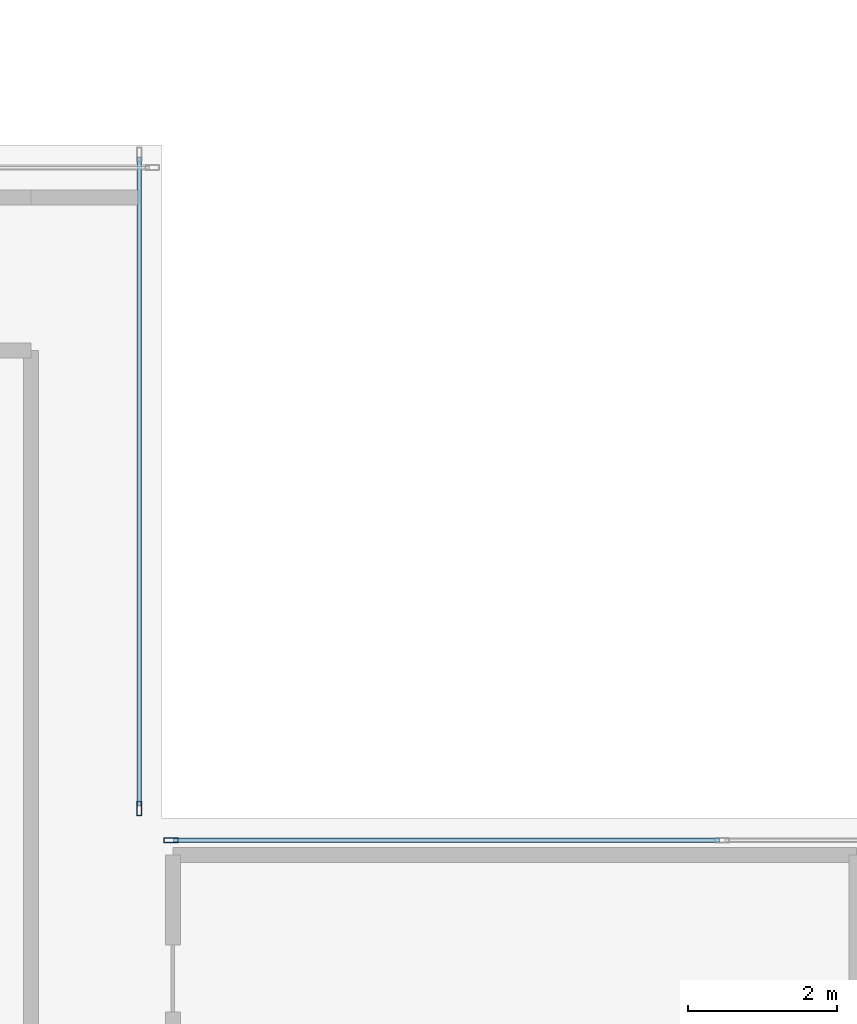
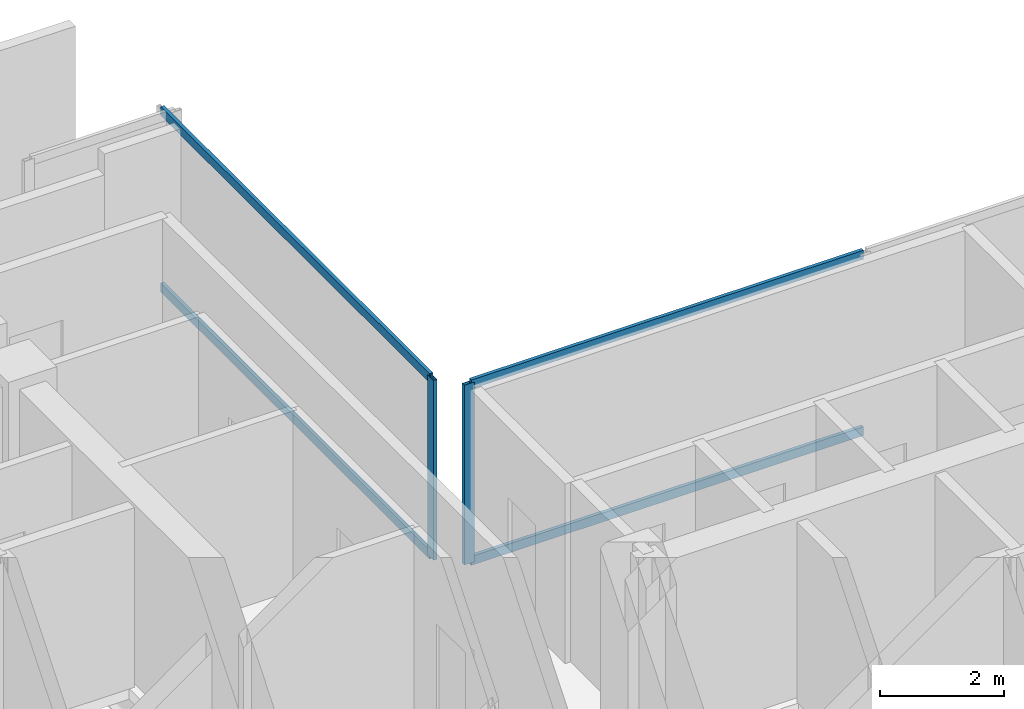
# One storey, part 9 of 22: 6 members, 2 elements without a shape of their own.
"""IFC4 building model written with IfcOpenShell, lengths in metres."""

import ifcopenshell
import ifcopenshell.guid

model = None  # the IFC model being written
_history = None  # IfcOwnerHistory: only IFC2X3 demands one
_inside = {}  # id of a spatial element -> (the spatial element, [elements in it])
_under = {}  # id of a project, library or spatial element -> (it, [spatial elements below it])
_declared = {}  # id of a project -> (the project, [libraries it declares])
_typed = {}  # id of a type object -> (the type object, [elements of that type])
_made_of = {}  # id of a material, layer set ... -> (it, [elements and type objects made of it])


def new_model(schema):
    """Start an empty IFC model of exactly this schema.

    Asked for "IFC4X3", IfcOpenShell would pick the latest addendum, in which some entities
    have other attributes; the version numbers below select the first issue.
    IFC2X3 requires an IfcOwnerHistory on every rooted entity: one is made here for all.
    """
    global model, _history
    if schema == "IFC4X3":
        model = ifcopenshell.file(schema_version=(4, 3, 0, 0))
    else:
        model = ifcopenshell.file(schema=schema)
    _inside.clear()
    _under.clear()
    _declared.clear()
    _typed.clear()
    _made_of.clear()
    _history = None
    if model.schema == "IFC2X3":
        org = make("IfcOrganization", Name="unknown")
        user = make(
            "IfcPersonAndOrganization",
            ThePerson=make("IfcPerson", FamilyName="unknown"),
            TheOrganization=org,
        )
        app = make(
            "IfcApplication",
            ApplicationDeveloper=org,
            Version="unknown",
            ApplicationFullName="unknown",
            ApplicationIdentifier="unknown",
        )
        _history = make(
            "IfcOwnerHistory",
            OwningUser=user,
            OwningApplication=app,
            ChangeAction="ADDED",
            CreationDate=0,
        )
    return model


def make(cls, **values):
    """One entity of the class cls with the attributes given. An attribute that is None is left unset."""
    return model.create_entity(
        cls, **{name: value for name, value in values.items() if value is not None}
    )


def rooted(cls, **values):
    """An entity with a GlobalId (a new one), such as an element, a storey or a relation."""
    return make(cls, GlobalId=ifcopenshell.guid.new(), OwnerHistory=_history, **values)


def si_unit(unit_type, name, prefix=None):
    """IfcSIUnit, for example si_unit("LENGTHUNIT", "METRE", prefix="MILLI")."""
    return make("IfcSIUnit", UnitType=unit_type, Prefix=prefix, Name=name)


def assignment(units):
    """IfcUnitAssignment: the units of a project."""
    return None if units is None else make("IfcUnitAssignment", Units=units)


def point(xyz):
    """IfcCartesianPoint."""
    return None if xyz is None else make("IfcCartesianPoint", Coordinates=xyz)


def direction(xyz):
    """IfcDirection."""
    return None if xyz is None else make("IfcDirection", DirectionRatios=xyz)


def frame(location, z_axis=None, x_axis=None):
    """IfcAxis2Placement3D, a coordinate frame: its origin and axes. An axis left out is left unset."""
    return make(
        "IfcAxis2Placement3D",
        Location=point(location),
        Axis=direction(z_axis),
        RefDirection=direction(x_axis),
    )


def frame_2d(location, x_axis=None):
    """IfcAxis2Placement2D, a coordinate frame in the plane: its origin and x axis."""
    return make(
        "IfcAxis2Placement2D", Location=point(location), RefDirection=direction(x_axis)
    )


def origin():
    """The frame at (0, 0, 0) with its axes left unset."""
    return frame((0.0, 0.0, 0.0))


def origin_2d():
    """The frame at (0, 0) in the plane with its x axis left unset."""
    return frame_2d((0.0, 0.0))


def place(relative_to, where):
    """IfcLocalPlacement: puts the frame where relative to a parent placement (None: the world)."""
    return make(
        "IfcLocalPlacement", PlacementRelTo=relative_to, RelativePlacement=where
    )


def context(
    kind, dimensions, precision=None, world=None, true_north=None, identifier=None
):
    """IfcGeometricRepresentationContext, for example the 3D "Model" context."""
    return make(
        "IfcGeometricRepresentationContext",
        ContextIdentifier=identifier,
        ContextType=kind,
        CoordinateSpaceDimension=dimensions,
        Precision=precision,
        WorldCoordinateSystem=world,
        TrueNorth=true_north,
    )


def subcontext(parent, identifier, kind, view, scale=None):
    """IfcGeometricRepresentationSubContext, for example "Body" below "Model"."""
    return make(
        "IfcGeometricRepresentationSubContext",
        ContextIdentifier=identifier,
        ContextType=kind,
        ParentContext=parent,
        TargetScale=scale,
        TargetView=view,
    )


def project(units=None, contexts=None):
    """IfcProject with its units and contexts."""
    return rooted(
        "IfcProject",
        Name="project",
        RepresentationContexts=contexts,
        UnitsInContext=assignment(units),
    )


def spatial(cls, under=None, at=None, **own):
    """A site, building, storey or space (cls), placed at a placement, below another one or the project."""
    s = rooted(cls, ObjectPlacement=at, **own)
    if under is not None:
        _under.setdefault(under.id(), (under, []))[1].append(s)
    return s


def profile(cls, at=None, kind="AREA", **sizes):
    """A parametric profile (cls). Its sizes go by their IFC names, for example OverallWidth=200.0."""
    return make(cls, ProfileType=kind, Position=at, **sizes)


def hollow_rectangle(**sizes):
    """IfcRectangleHollowProfileDef."""
    return profile("IfcRectangleHollowProfileDef", **sizes)


def extrude(swept, where, along, depth):
    """IfcExtrudedAreaSolid: the profile swept, set in the frame where, extruded along a direction by depth."""
    return make(
        "IfcExtrudedAreaSolid",
        SweptArea=swept,
        Position=where,
        ExtrudedDirection=direction(along),
        Depth=depth,
    )


def shape(context_of_items, identifier, shape_type, items):
    """IfcShapeRepresentation: the items that make up one representation, for example the "Body"."""
    return make(
        "IfcShapeRepresentation",
        ContextOfItems=context_of_items,
        RepresentationIdentifier=identifier,
        RepresentationType=shape_type,
        Items=items,
    )


def material(Name=None, Category=None):
    """IfcMaterial."""
    return make("IfcMaterial", Name=Name, Category=Category)


def layer(
    of_material, thickness, ventilated=None, Name=None, Category=None, Priority=None
):
    """IfcMaterialLayer: one layer of a wall or slab, of a material (None: an air gap)."""
    return make(
        "IfcMaterialLayer",
        Material=of_material,
        LayerThickness=thickness,
        IsVentilated=ventilated,
        Name=Name,
        Category=Category,
        Priority=Priority,
    )


def layer_set(layers, Name=None):
    """IfcMaterialLayerSet."""
    return make("IfcMaterialLayerSet", MaterialLayers=layers, LayerSetName=Name)


def material_profile(
    of_material, cross_section, Name=None, Category=None, Priority=None
):
    """IfcMaterialProfile: a cross section and its material."""
    return make(
        "IfcMaterialProfile",
        Name=Name,
        Material=of_material,
        Profile=cross_section,
        Priority=Priority,
        Category=Category,
    )


def profile_set(profiles, Name=None, composite=None):
    """IfcMaterialProfileSet."""
    return make(
        "IfcMaterialProfileSet",
        Name=Name,
        MaterialProfiles=profiles,
        CompositeProfile=composite,
    )


def made_of(thing, what):
    """Note that an element or type object is made of a material, layer set ...; save() writes the relation."""
    if what is not None:
        _made_of.setdefault(what.id(), (what, []))[1].append(thing)
    return thing


def type_object(cls, material=None, **own):
    """A type object (cls), such as IfcWallType, which elements share."""
    return made_of(rooted(cls, **own), material)


def element(
    cls,
    number,
    at=None,
    inside=None,
    cuts=None,
    type_object=None,
    material=None,
    context=None,
    identifier="Body",
    shape_type=None,
    held_by="IfcProductDefinitionShape",
    body=None,
    shapes=None,
    **own,
):
    """One element of the class cls, such as IfcWall. Its Tag is "e" and its number.

    at: its placement. inside: the storey or other place that contains it. cuts: it is an
    opening in that element (IfcRelVoidsElement). A single representation is given by context,
    identifier, shape_type and body (its items); several are given by shapes. held_by: the class
    of the entity that holds the representations. save() writes the other relations.
    """
    e = rooted(cls, Tag="e%d" % number, ObjectPlacement=at, **own)
    if body is not None:
        shapes = [shape(context, identifier, shape_type, body)]
    if shapes is not None:
        e.Representation = make(held_by, Representations=shapes)
    if inside is not None:
        _inside.setdefault(inside.id(), (inside, []))[1].append(e)
    if cuts is not None:
        rooted(
            "IfcRelVoidsElement", RelatingBuildingElement=cuts, RelatedOpeningElement=e
        )
    if type_object is not None:
        _typed.setdefault(type_object.id(), (type_object, []))[1].append(e)
    return made_of(e, material)


def aggregate(whole, parts):
    """IfcRelAggregates: a whole, such as a stair, and the parts it consists of."""
    return rooted("IfcRelAggregates", RelatingObject=whole, RelatedObjects=parts)


def save(model, path):
    """Write the relations noted so far, then the file.

    IfcRelAggregates (storeys below a building ...), IfcRelContainedInSpatialStructure (elements
    in a storey), IfcRelDefinesByType, IfcRelAssociatesMaterial and IfcRelDeclares: one each for
    every whole, place, type object, material and project.
    """
    for whole, parts in _under.values():
        aggregate(whole, parts)
    for where, things in _inside.values():
        rooted(
            "IfcRelContainedInSpatialStructure",
            RelatedElements=things,
            RelatingStructure=where,
        )
    for kind, things in _typed.values():
        rooted("IfcRelDefinesByType", RelatedObjects=things, RelatingType=kind)
    for what, things in _made_of.values():
        rooted("IfcRelAssociatesMaterial", RelatedObjects=things, RelatingMaterial=what)
    for by, libraries in _declared.values():
        rooted("IfcRelDeclares", RelatingContext=by, RelatedDefinitions=libraries)
    model.write(path)


model = new_model("IFC4")

# Units and contexts
model_context = context("Model", 3, precision=1e-05, world=origin(), true_north=direction((0.0, 1.0)))
body_context = subcontext(model_context, "Body", "Model", "MODEL_VIEW")
ifc_project = project(units=[si_unit("LENGTHUNIT", "METRE"), si_unit("AREAUNIT", "SQUARE_METRE"), si_unit("VOLUMEUNIT", "CUBIC_METRE"), si_unit("PLANEANGLEUNIT", "RADIAN"), si_unit("MASSUNIT", "GRAM", prefix="KILO"), si_unit("THERMODYNAMICTEMPERATUREUNIT", "KELVIN"), si_unit("POWERUNIT", "WATT")], contexts=[model_context])

# Site, building, storey
site_placement = place(None, origin())
site = spatial("IfcSite", under=ifc_project, at=site_placement, CompositionType="ELEMENT")
building_placement = place(site_placement, origin())
building = spatial("IfcBuilding", under=site, at=building_placement, Name="Svarakhadi Broadcast Tower", CompositionType="ELEMENT")
storey_placement = place(building_placement, frame((0.0, 0.0, 172.949951171875)))
storey = spatial("IfcBuildingStorey", under=building, at=storey_placement, Name="L42", CompositionType="ELEMENT", Elevation=172.949951171875)

# Curtain wall, member
ifc_material = material(Name="Anodised Bronze Aluminium AA 6063-T6", Category="aluminium")
ifc_layer = layer(ifc_material, 0.18994140625)
ifc_layer_set = layer_set([ifc_layer], Name="Anodised Bronze Aluminium AA 6063-T6")
curtain_wall_type = type_object("IfcCurtainWallType", Name="CW_Sys_04", PredefinedType="NOTDEFINED", material=ifc_layer_set)
curtain_wall_1_placement = place(storey_placement, origin())
curtain_wall_1 = element("IfcCurtainWall", 1, at=curtain_wall_1_placement, inside=storey, type_object=curtain_wall_type, Name="L42 Unitised Facade Curtain Wall 09", PredefinedType="NOTDEFINED")
ifc_material_profile_1 = material_profile(ifc_material, hollow_rectangle(XDim=0.070068359375, YDim=0.18994140625, WallThickness=0.005615234375, at=origin_2d()), Name="ALU MULLION 190x70x6")
ifc_profile_set_1 = profile_set([ifc_material_profile_1], Name="Anodised Bronze Aluminium AA 6063-T6")
member_type_1 = type_object("IfcMemberType", Name="CW_Sys_04_Mul", PredefinedType="MULLION", material=ifc_profile_set_1)
member_1_placement = place(storey_placement, frame((23.699951171875, 24.125, 0.0), z_axis=(0.0, 0.0, 1.0), x_axis=(1.0, 0.0, 0.0)))
member_1 = element("IfcMember", 2, at=member_1_placement, type_object=member_type_1, Name="CW-04 mullion 2", PredefinedType="MULLION", context=body_context, shape_type="SweptSolid", body=[
    extrude(hollow_rectangle(XDim=0.070068359375, YDim=0.18994140625, WallThickness=0.005615234375, at=origin_2d()), origin(), (0.0, 0.0, 1.0), 3.5400390625),
])

curtain_wall_2_placement = place(storey_placement, origin())
curtain_wall_2 = element("IfcCurtainWall", 3, at=curtain_wall_2_placement, inside=storey, type_object=curtain_wall_type, Name="L42 Unitised Facade Curtain Wall 10", PredefinedType="NOTDEFINED")
member_2_placement = place(storey_placement, frame((24.125, 23.699951171875, 0.0), z_axis=(0.0, 0.0, 1.0), x_axis=(0.0, 1.0, 0.0)))
member_2 = element("IfcMember", 4, at=member_2_placement, type_object=member_type_1, Name="CW-04 mullion 1", PredefinedType="MULLION", context=body_context, shape_type="SweptSolid", body=[
    extrude(hollow_rectangle(XDim=0.070068359375, YDim=0.18994140625, WallThickness=0.005615234375, at=origin_2d()), origin(), (0.0, 0.0, 1.0), 3.5400390625),
])

# Member
ifc_material_profile_2 = material_profile(ifc_material, hollow_rectangle(XDim=0.06494140625, YDim=0.175048828125, WallThickness=0.0048828125, at=origin_2d()), Name="ALU TRANSOM 175x65x5")
ifc_profile_set_2 = profile_set([ifc_material_profile_2], Name="Anodised Bronze Aluminium AA 6063-T6")
member_type_2 = type_object("IfcMemberType", Name="CW_Sys_04_Trn", PredefinedType="USERDEFINED", material=ifc_profile_set_2)
member_3_placement = place(storey_placement, frame((23.699951171875, 32.840087890625, 0.032470703125), z_axis=(0.0, -1.0, 0.0), x_axis=(1.0, 0.0, 0.0)))
member_3 = element("IfcMember", 5, at=member_3_placement, type_object=member_type_2, Name="CW-04 transom 1.1", ObjectType="TRANSOM", PredefinedType="USERDEFINED", context=body_context, shape_type="SweptSolid", body=[
    extrude(hollow_rectangle(XDim=0.06494140625, YDim=0.175048828125, WallThickness=0.0048828125, at=origin_2d()), origin(), (0.0, 0.0, 1.0), 8.68017578125),
])

member_4_placement = place(storey_placement, frame((23.699951171875, 32.840087890625, 3.507568359375), z_axis=(0.0, -1.0, 0.0), x_axis=(1.0, 0.0, 0.0)))
member_4 = element("IfcMember", 6, at=member_4_placement, type_object=member_type_2, Name="CW-04 transom 1.2", ObjectType="TRANSOM", PredefinedType="USERDEFINED", context=body_context, shape_type="SweptSolid", body=[
    extrude(hollow_rectangle(XDim=0.06494140625, YDim=0.175048828125, WallThickness=0.0048828125, at=origin_2d()), origin(), (0.0, 0.0, 1.0), 8.68017578125),
])

aggregate(curtain_wall_1, [member_1, member_3, member_4])

member_5_placement = place(storey_placement, frame((24.159912109375, 23.699951171875, 0.032470703125), z_axis=(1.0, 0.0, 0.0), x_axis=(0.0, 1.0, 0.0)))
member_5 = element("IfcMember", 7, at=member_5_placement, type_object=member_type_2, Name="CW-04 transom 1.1", ObjectType="TRANSOM", PredefinedType="USERDEFINED", context=body_context, shape_type="SweptSolid", body=[
    extrude(hollow_rectangle(XDim=0.06494140625, YDim=0.175048828125, WallThickness=0.0048828125, at=origin_2d()), origin(), (0.0, 0.0, 1.0), 7.30517578125),
])

member_6_placement = place(storey_placement, frame((24.159912109375, 23.699951171875, 3.507568359375), z_axis=(1.0, 0.0, 0.0), x_axis=(0.0, 1.0, 0.0)))
member_6 = element("IfcMember", 8, at=member_6_placement, type_object=member_type_2, Name="CW-04 transom 1.2", ObjectType="TRANSOM", PredefinedType="USERDEFINED", context=body_context, shape_type="SweptSolid", body=[
    extrude(hollow_rectangle(XDim=0.06494140625, YDim=0.175048828125, WallThickness=0.0048828125, at=origin_2d()), origin(), (0.0, 0.0, 1.0), 7.30517578125),
])

aggregate(curtain_wall_2, [member_2, member_5, member_6])

save(model, "model.ifc")
